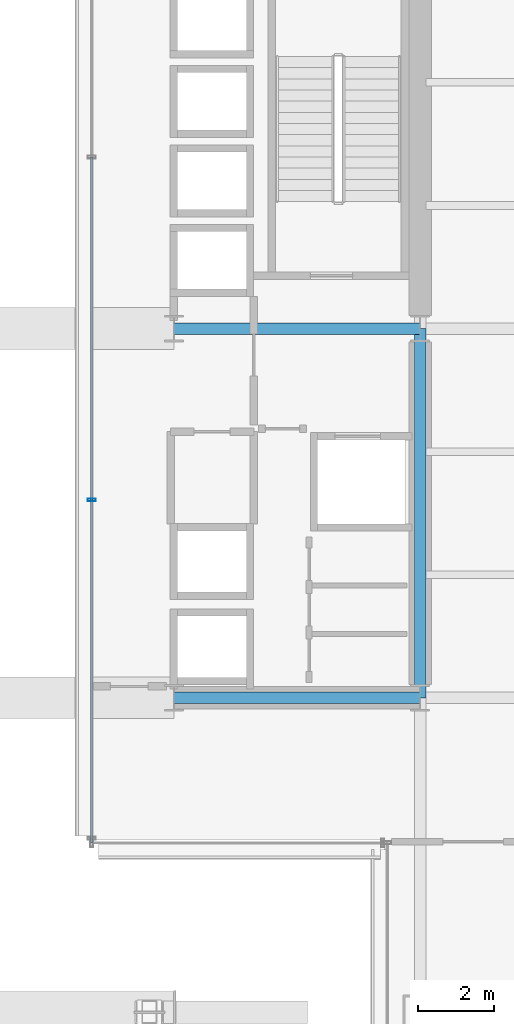
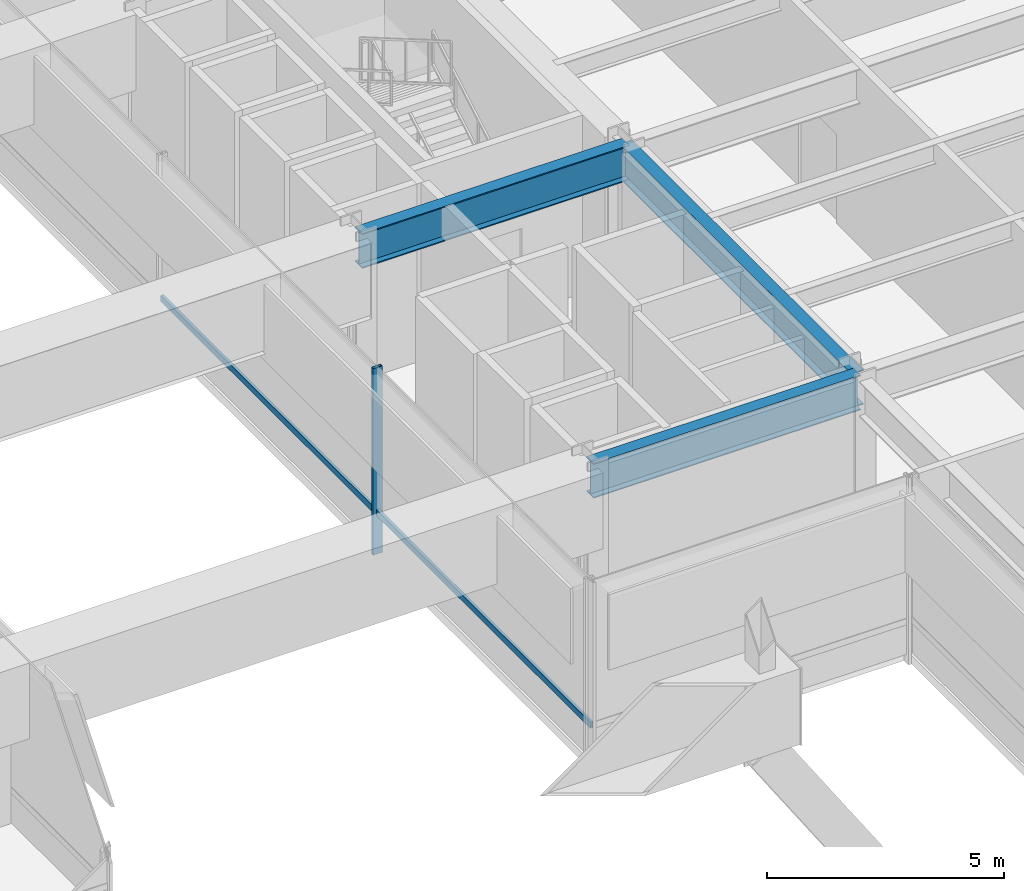
# One storey, part 13 of 42: 3 beams, 3 members, 1 element without a shape of its own.
"""IFC4 building model written with IfcOpenShell, lengths in metres."""

from ifc_helpers import new_model, si_unit, direction, frame, origin, origin_2d, place, context, subcontext, project, spatial, hollow_rectangle, i_section, extrude, material, layer, layer_set, material_profile, profile_set, type_object, element, aggregate, save


model = new_model("IFC4")

# Units and contexts
model_context = context("Model", 3, precision=1e-05, world=origin(), true_north=direction((0.0, 1.0)))
body_context = subcontext(model_context, "Body", "Model", "MODEL_VIEW")
ifc_project = project(units=[si_unit("LENGTHUNIT", "METRE"), si_unit("AREAUNIT", "SQUARE_METRE"), si_unit("VOLUMEUNIT", "CUBIC_METRE"), si_unit("PLANEANGLEUNIT", "RADIAN"), si_unit("MASSUNIT", "GRAM", prefix="KILO")], contexts=[model_context])

# Site, building, storey
site_placement = place(None, origin())
site = spatial("IfcSite", under=ifc_project, at=site_placement, CompositionType="ELEMENT")
building_placement = place(site_placement, origin())
building = spatial("IfcBuilding", under=site, at=building_placement, Name="Brelmoor Portico Tower", CompositionType="ELEMENT")
storey_placement = place(building_placement, frame((0.0, 0.0, 9.60009765625)))
storey = spatial("IfcBuildingStorey", under=building, at=storey_placement, Name="L02", CompositionType="ELEMENT", Elevation=9.60009765625)

# Beams
ifc_material_1 = material(Name="Steel Q355B", Category="steel")
ifc_material_profile_1 = material_profile(ifc_material_1, i_section(OverallWidth=0.300048828125, OverallDepth=0.89990234375, WebThickness=0.01611328125, FlangeThickness=0.028076171875, at=origin_2d()), Name="HN 900x300x16x28")
ifc_profile_set_1 = profile_set([ifc_material_profile_1], Name="Steel Q355B")
beam_type = type_object("IfcBeamType", Name="BM-PG-900", PredefinedType="BEAM", material=ifc_profile_set_1)
beam_placement = place(storey_placement, frame((14.550048828125, -9.75, 4.1298828125), z_axis=(0.0, 1.0, 0.0), x_axis=(-1.0, 0.0, 0.0)))
element("IfcBeam", 1, at=beam_placement, inside=storey, type_object=beam_type, Name="L02 Primary Floor Girder PG-14", PredefinedType="BEAM", context=body_context, shape_type="SweptSolid", body=[
    extrude(i_section(OverallWidth=0.300048828125, OverallDepth=0.89990234375, WebThickness=0.01611328125, FlangeThickness=0.028076171875, at=origin_2d()), origin(), (0.0, 0.0, 1.0), 9.75),
])
for number, where, z_axis, x_axis, name in (
    (2, (8.050048828125, -9.75, 4.1298828125), (1.0, 0.0, 0.0), (0.0, 1.0, 0.0), "L02 Primary Floor Girder PG-28"),
    (3, (8.050048828125, 0.0, 4.1298828125), (1.0, 0.0, 0.0), (0.0, 1.0, 0.0), "L02 Primary Floor Girder PG-33"),
):
    element("IfcBeam", number, at=place(storey_placement, frame(where, z_axis=z_axis, x_axis=x_axis)), inside=storey, type_object=beam_type, Name=name, PredefinedType="BEAM", context=body_context, shape_type="SweptSolid", body=[
        extrude(i_section(OverallWidth=0.300048828125, OverallDepth=0.89990234375, WebThickness=0.01611328125, FlangeThickness=0.028076171875, at=origin_2d()), origin(), (0.0, 0.0, 1.0), 6.5),
    ])

# Curtain wall, members
ifc_material_2 = material(Name="Anodised Aluminium Alloy 6063-T6", Category="aluminium")
ifc_layer = layer(ifc_material_2, 0.179931640625)
ifc_layer_set = layer_set([ifc_layer], Name="Anodised Aluminium Alloy 6063-T6")
curtain_wall_type = type_object("IfcCurtainWallType", Name="CW-PODIUM-ARCH", PredefinedType="NOTDEFINED", material=ifc_layer_set)
curtain_wall_placement = place(storey_placement, origin())
curtain_wall = element("IfcCurtainWall", 4, at=curtain_wall_placement, inside=storey, type_object=curtain_wall_type, Name="L02 Curtain Wall CW-L02-16", PredefinedType="NOTDEFINED")
ifc_material_profile_2 = material_profile(ifc_material_2, hollow_rectangle(XDim=0.074951171875, YDim=0.219970703125, WallThickness=0.0048828125, at=origin_2d()), Name="ALU MULLION 75x220")
ifc_profile_set_2 = profile_set([ifc_material_profile_2], Name="Anodised Aluminium Alloy 6063-T6")
member_type_1 = type_object("IfcMemberType", Name="MB-CW-MULL-220", PredefinedType="MULLION", material=ifc_profile_set_2)
member_1_placement = place(storey_placement, frame((5.8798828125, -4.526611328125, -0.22021484375), z_axis=(0.0, 0.0, 1.0), x_axis=(0.0, 1.0, 0.0)))
member_1 = element("IfcMember", 5, at=member_1_placement, type_object=member_type_1, Name="CW-L02-16 Mullion 01", PredefinedType="MULLION", context=body_context, shape_type="SweptSolid", body=[
    extrude(hollow_rectangle(XDim=0.074951171875, YDim=0.219970703125, WallThickness=0.0048828125, at=origin_2d()), origin(), (0.0, 0.0, 1.0), 4.800048828125),
])
ifc_material_profile_3 = material_profile(ifc_material_2, hollow_rectangle(XDim=0.070068359375, YDim=0.159912109375, WallThickness=0.00390625, at=origin_2d()), Name="ALU TRANSOM 70x160")
ifc_profile_set_3 = profile_set([ifc_material_profile_3], Name="Anodised Aluminium Alloy 6063-T6")
member_type_2 = type_object("IfcMemberType", Name="MB-CW-TRAN-160", PredefinedType="USERDEFINED", material=ifc_profile_set_3)
member_2_placement = place(storey_placement, frame((5.8798828125, -13.580078125, 0.849853515625), z_axis=(0.0, 1.0, 0.0), x_axis=(-1.0, 0.0, 0.0)))
member_2 = element("IfcMember", 6, at=member_2_placement, type_object=member_type_2, Name="CW-L02-16 Transom 1-00", ObjectType="TRANSOM", PredefinedType="USERDEFINED", context=body_context, shape_type="SweptSolid", body=[
    extrude(hollow_rectangle(XDim=0.070068359375, YDim=0.159912109375, WallThickness=0.00390625, at=origin_2d()), origin(), (0.0, 0.0, 1.0), 9.053466796875),
])
member_3_placement = place(storey_placement, frame((5.8798828125, -4.526611328125, 0.849853515625), z_axis=(0.0, 1.0, 0.0), x_axis=(-1.0, 0.0, 0.0)))
member_3 = element("IfcMember", 7, at=member_3_placement, type_object=member_type_2, Name="CW-L02-16 Transom 1-01", ObjectType="TRANSOM", PredefinedType="USERDEFINED", context=body_context, shape_type="SweptSolid", body=[
    extrude(hollow_rectangle(XDim=0.070068359375, YDim=0.159912109375, WallThickness=0.00390625, at=origin_2d()), origin(), (0.0, 0.0, 1.0), 9.05322265625),
])
aggregate(curtain_wall, [member_1, member_2, member_3])

save(model, "model.ifc")
